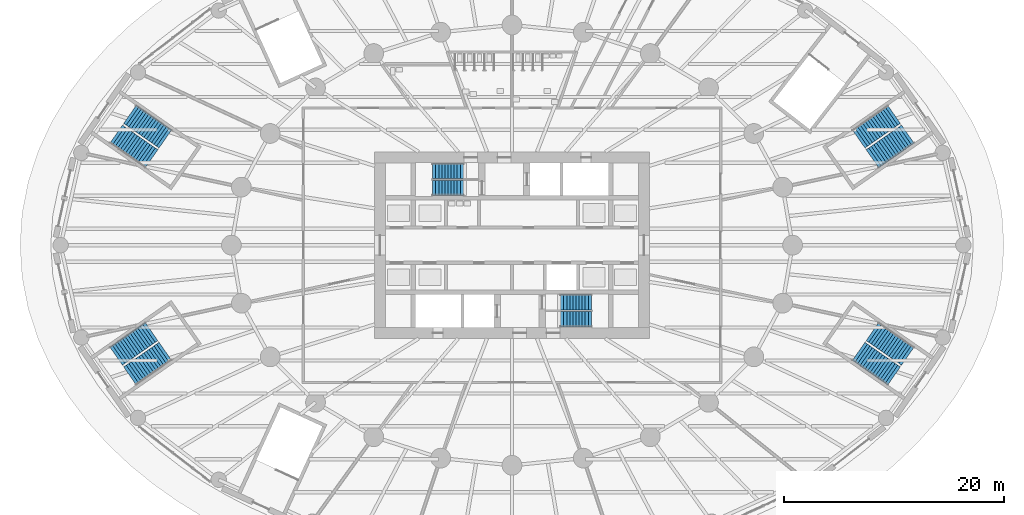
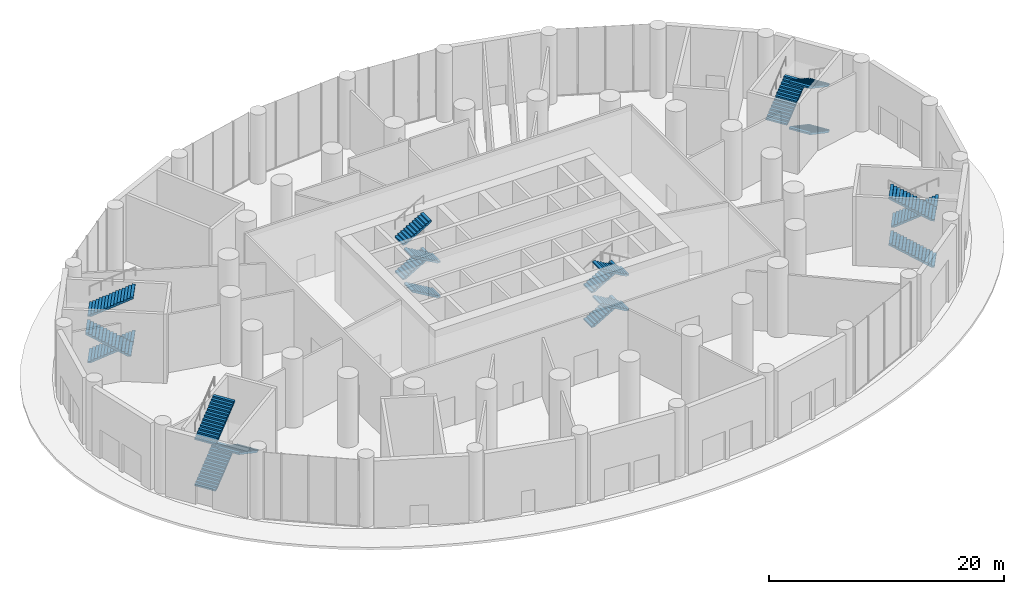
# One storey, part 18 of 22: 20 stair flights, 6 elements without a shape of their own.
"""IFC4 building model written with IfcOpenShell, lengths in metres."""

from ifc_helpers import new_model, si_unit, direction, frame, origin, place, context, subcontext, project, spatial, polyline, outline, extrude, material, type_object, element, aggregate, save


model = new_model("IFC4")

# Units and contexts
model_context = context("Model", 3, precision=1e-05, world=origin(), true_north=direction((0.0, 1.0)))
body_context = subcontext(model_context, "Body", "Model", "MODEL_VIEW")
ifc_project = project(units=[si_unit("LENGTHUNIT", "METRE"), si_unit("AREAUNIT", "SQUARE_METRE"), si_unit("VOLUMEUNIT", "CUBIC_METRE"), si_unit("PLANEANGLEUNIT", "RADIAN"), si_unit("MASSUNIT", "GRAM", prefix="KILO")], contexts=[model_context])

# Site, building, storey
site_placement = place(None, origin())
site = spatial("IfcSite", under=ifc_project, at=site_placement, CompositionType="ELEMENT")
building_placement = place(site_placement, origin())
building = spatial("IfcBuilding", under=site, at=building_placement, Name="Hankou Lantern Tower", CompositionType="ELEMENT")
storey_placement = place(building_placement, origin())
storey = spatial("IfcBuildingStorey", under=building, at=storey_placement, Name="L00", CompositionType="ELEMENT", Elevation=0.0)

# Stair, stair flights
ifc_material_1 = material(Name="Concrete C40", Category="concrete")
stair_type_1 = type_object("IfcStairType", Name="ST72 CORE STAIR 7200 RISE", PredefinedType="HALF_TURN_STAIR", material=ifc_material_1)
stair_1_placement = place(storey_placement, origin())
stair_1 = element("IfcStair", 1, at=stair_1_placement, inside=storey, type_object=stair_type_1, Name="Stair STA L00", PredefinedType="HALF_TURN_STAIR")
ifc_material_2 = material(Name="Concrete C40", Category="concrete")
stair_flight_type_1 = type_object("IfcStairFlightType", Name="CF11 CORE STAIR FLIGHT 1400 X 11 RISERS", PredefinedType="STRAIGHT", material=ifc_material_2)
stair_flight_1_placement = place(storey_placement, frame((-4.429931640625, 5.199951171875, 0.0), z_axis=(0.0, 0.0, 1.0), x_axis=(-1.0, 0.0, 0.0)))
stair_flight_1 = element("IfcStairFlight", 2, at=stair_flight_1_placement, type_object=stair_flight_type_1, Name="STA flight 1", NumberOfRisers=11, NumberOfTreads=10, PredefinedType="STRAIGHT", RiserHeight=0.163636364, TreadLength=0.28, context=body_context, shape_type="SweptSolid", body=[
    extrude(outline(polyline([(0.0, 0.0), (0.0, 0.16357421875), (0.280029296875, 0.16357421875), (0.280029296875, 0.327392578125), (0.56005859375, 0.327392578125), (0.56005859375, 0.490966796875), (0.840087890625, 0.490966796875), (0.840087890625, 0.654541015625), (1.1201171875, 0.654541015625), (1.1201171875, 0.818115234375), (1.39990234375, 0.818115234375), (1.39990234375, 0.98193359375), (1.679931640625, 0.98193359375), (1.679931640625, 1.1455078125), (1.9599609375, 1.1455078125), (1.9599609375, 1.30908203125), (2.239990234375, 1.30908203125), (2.239990234375, 1.47265625), (2.52001953125, 1.47265625), (2.52001953125, 1.636474609375), (2.800048828125, 1.636474609375), (2.800048828125, 1.800048828125), (2.800048828125, 1.462646484375), (0.297119140625, 0.0), (0.0, 0.0)])), frame((0.0, 0.699951171875, 0.0), z_axis=(0.0, -1.0, 0.0), x_axis=(1.0, 0.0, 0.0)), (0.0, 0.0, 1.0), 1.39990234375),
])
stair_flight_2_placement = place(storey_placement, frame((-7.22998046875, 6.75, 1.800048828125), z_axis=(0.0, 0.0, 1.0), x_axis=(1.0, 0.0, 0.0)))
stair_flight_2 = element("IfcStairFlight", 3, at=stair_flight_2_placement, type_object=stair_flight_type_1, Name="STA flight 2", NumberOfRisers=11, NumberOfTreads=10, PredefinedType="STRAIGHT", RiserHeight=0.163636364, TreadLength=0.28, context=body_context, shape_type="SweptSolid", body=[
    extrude(outline(polyline([(0.0, 0.0), (0.0, 0.16357421875), (0.280029296875, 0.16357421875), (0.280029296875, 0.327392578125), (0.56005859375, 0.327392578125), (0.56005859375, 0.490966796875), (0.840087890625, 0.490966796875), (0.840087890625, 0.654541015625), (1.1201171875, 0.654541015625), (1.1201171875, 0.818115234375), (1.39990234375, 0.818115234375), (1.39990234375, 0.98193359375), (1.679931640625, 0.98193359375), (1.679931640625, 1.1455078125), (1.9599609375, 1.1455078125), (1.9599609375, 1.30908203125), (2.239990234375, 1.30908203125), (2.239990234375, 1.47265625), (2.52001953125, 1.47265625), (2.52001953125, 1.636474609375), (2.800048828125, 1.636474609375), (2.800048828125, 1.800048828125), (2.800048828125, 1.462646484375), (0.297119140625, 0.0), (0.0, 0.0)])), frame((0.0, 0.699951171875, 0.0), z_axis=(0.0, -1.0, 0.0), x_axis=(1.0, 0.0, 0.0)), (0.0, 0.0, 1.0), 1.39990234375),
])
stair_flight_3_placement = place(storey_placement, frame((-4.429931640625, 5.199951171875, 3.60009765625), z_axis=(0.0, 0.0, 1.0), x_axis=(-1.0, 0.0, 0.0)))
stair_flight_3 = element("IfcStairFlight", 4, at=stair_flight_3_placement, type_object=stair_flight_type_1, Name="STA flight 3", NumberOfRisers=11, NumberOfTreads=10, PredefinedType="STRAIGHT", RiserHeight=0.163636364, TreadLength=0.28, context=body_context, shape_type="SweptSolid", body=[
    extrude(outline(polyline([(0.0, 0.0), (0.0, 0.16357421875), (0.280029296875, 0.16357421875), (0.280029296875, 0.327392578125), (0.56005859375, 0.327392578125), (0.56005859375, 0.490966796875), (0.840087890625, 0.490966796875), (0.840087890625, 0.654541015625), (1.1201171875, 0.654541015625), (1.1201171875, 0.818115234375), (1.39990234375, 0.818115234375), (1.39990234375, 0.98193359375), (1.679931640625, 0.98193359375), (1.679931640625, 1.1455078125), (1.9599609375, 1.1455078125), (1.9599609375, 1.30908203125), (2.239990234375, 1.30908203125), (2.239990234375, 1.47265625), (2.52001953125, 1.47265625), (2.52001953125, 1.636474609375), (2.800048828125, 1.636474609375), (2.800048828125, 1.800048828125), (2.800048828125, 1.462646484375), (0.297119140625, 0.0), (0.0, 0.0)])), frame((0.0, 0.699951171875, 0.0), z_axis=(0.0, -1.0, 0.0), x_axis=(1.0, 0.0, 0.0)), (0.0, 0.0, 1.0), 1.39990234375),
])
stair_flight_4_placement = place(storey_placement, frame((-7.22998046875, 6.75, 5.39990234375), z_axis=(0.0, 0.0, 1.0), x_axis=(1.0, 0.0, 0.0)))
stair_flight_4 = element("IfcStairFlight", 5, at=stair_flight_4_placement, type_object=stair_flight_type_1, Name="STA flight 4", NumberOfRisers=11, NumberOfTreads=10, PredefinedType="STRAIGHT", RiserHeight=0.163636364, TreadLength=0.28, context=body_context, shape_type="SweptSolid", body=[
    extrude(outline(polyline([(0.0, 0.0), (0.0, 0.16357421875), (0.280029296875, 0.16357421875), (0.280029296875, 0.327392578125), (0.56005859375, 0.327392578125), (0.56005859375, 0.490966796875), (0.840087890625, 0.490966796875), (0.840087890625, 0.654541015625), (1.1201171875, 0.654541015625), (1.1201171875, 0.818115234375), (1.39990234375, 0.818115234375), (1.39990234375, 0.98193359375), (1.679931640625, 0.98193359375), (1.679931640625, 1.1455078125), (1.9599609375, 1.1455078125), (1.9599609375, 1.30908203125), (2.239990234375, 1.30908203125), (2.239990234375, 1.47265625), (2.52001953125, 1.47265625), (2.52001953125, 1.636474609375), (2.800048828125, 1.636474609375), (2.800048828125, 1.800048828125), (2.800048828125, 1.462646484375), (0.297119140625, 0.0), (0.0, 0.0)])), frame((0.0, 0.699951171875, 0.0), z_axis=(0.0, -1.0, 0.0), x_axis=(1.0, 0.0, 0.0)), (0.0, 0.0, 1.0), 1.39990234375),
])
aggregate(stair_1, [stair_flight_1, stair_flight_2, stair_flight_3, stair_flight_4])

stair_2_placement = place(storey_placement, origin())
stair_2 = element("IfcStair", 6, at=stair_2_placement, inside=storey, type_object=stair_type_1, Name="Stair STB L00", PredefinedType="HALF_TURN_STAIR")
stair_flight_5_placement = place(storey_placement, frame((4.429931640625, -5.199951171875, 0.0), z_axis=(0.0, 0.0, 1.0), x_axis=(1.0, 0.0, 0.0)))
stair_flight_5 = element("IfcStairFlight", 7, at=stair_flight_5_placement, type_object=stair_flight_type_1, Name="STB flight 1", NumberOfRisers=11, NumberOfTreads=10, PredefinedType="STRAIGHT", RiserHeight=0.163636364, TreadLength=0.28, context=body_context, shape_type="SweptSolid", body=[
    extrude(outline(polyline([(0.0, 0.0), (0.0, 0.16357421875), (0.280029296875, 0.16357421875), (0.280029296875, 0.327392578125), (0.56005859375, 0.327392578125), (0.56005859375, 0.490966796875), (0.840087890625, 0.490966796875), (0.840087890625, 0.654541015625), (1.1201171875, 0.654541015625), (1.1201171875, 0.818115234375), (1.39990234375, 0.818115234375), (1.39990234375, 0.98193359375), (1.679931640625, 0.98193359375), (1.679931640625, 1.1455078125), (1.9599609375, 1.1455078125), (1.9599609375, 1.30908203125), (2.239990234375, 1.30908203125), (2.239990234375, 1.47265625), (2.52001953125, 1.47265625), (2.52001953125, 1.636474609375), (2.800048828125, 1.636474609375), (2.800048828125, 1.800048828125), (2.800048828125, 1.462646484375), (0.297119140625, 0.0), (0.0, 0.0)])), frame((0.0, 0.699951171875, 0.0), z_axis=(0.0, -1.0, 0.0), x_axis=(1.0, 0.0, 0.0)), (0.0, 0.0, 1.0), 1.39990234375),
])
stair_flight_6_placement = place(storey_placement, frame((7.22998046875, -6.75, 1.800048828125), z_axis=(0.0, 0.0, 1.0), x_axis=(-1.0, 0.0, 0.0)))
stair_flight_6 = element("IfcStairFlight", 8, at=stair_flight_6_placement, type_object=stair_flight_type_1, Name="STB flight 2", NumberOfRisers=11, NumberOfTreads=10, PredefinedType="STRAIGHT", RiserHeight=0.163636364, TreadLength=0.28, context=body_context, shape_type="SweptSolid", body=[
    extrude(outline(polyline([(0.0, 0.0), (0.0, 0.16357421875), (0.280029296875, 0.16357421875), (0.280029296875, 0.327392578125), (0.56005859375, 0.327392578125), (0.56005859375, 0.490966796875), (0.840087890625, 0.490966796875), (0.840087890625, 0.654541015625), (1.1201171875, 0.654541015625), (1.1201171875, 0.818115234375), (1.39990234375, 0.818115234375), (1.39990234375, 0.98193359375), (1.679931640625, 0.98193359375), (1.679931640625, 1.1455078125), (1.9599609375, 1.1455078125), (1.9599609375, 1.30908203125), (2.239990234375, 1.30908203125), (2.239990234375, 1.47265625), (2.52001953125, 1.47265625), (2.52001953125, 1.636474609375), (2.800048828125, 1.636474609375), (2.800048828125, 1.800048828125), (2.800048828125, 1.462646484375), (0.297119140625, 0.0), (0.0, 0.0)])), frame((0.0, 0.699951171875, 0.0), z_axis=(0.0, -1.0, 0.0), x_axis=(1.0, 0.0, 0.0)), (0.0, 0.0, 1.0), 1.39990234375),
])
stair_flight_7_placement = place(storey_placement, frame((4.429931640625, -5.199951171875, 3.60009765625), z_axis=(0.0, 0.0, 1.0), x_axis=(1.0, 0.0, 0.0)))
stair_flight_7 = element("IfcStairFlight", 9, at=stair_flight_7_placement, type_object=stair_flight_type_1, Name="STB flight 3", NumberOfRisers=11, NumberOfTreads=10, PredefinedType="STRAIGHT", RiserHeight=0.163636364, TreadLength=0.28, context=body_context, shape_type="SweptSolid", body=[
    extrude(outline(polyline([(0.0, 0.0), (0.0, 0.16357421875), (0.280029296875, 0.16357421875), (0.280029296875, 0.327392578125), (0.56005859375, 0.327392578125), (0.56005859375, 0.490966796875), (0.840087890625, 0.490966796875), (0.840087890625, 0.654541015625), (1.1201171875, 0.654541015625), (1.1201171875, 0.818115234375), (1.39990234375, 0.818115234375), (1.39990234375, 0.98193359375), (1.679931640625, 0.98193359375), (1.679931640625, 1.1455078125), (1.9599609375, 1.1455078125), (1.9599609375, 1.30908203125), (2.239990234375, 1.30908203125), (2.239990234375, 1.47265625), (2.52001953125, 1.47265625), (2.52001953125, 1.636474609375), (2.800048828125, 1.636474609375), (2.800048828125, 1.800048828125), (2.800048828125, 1.462646484375), (0.297119140625, 0.0), (0.0, 0.0)])), frame((0.0, 0.699951171875, 0.0), z_axis=(0.0, -1.0, 0.0), x_axis=(1.0, 0.0, 0.0)), (0.0, 0.0, 1.0), 1.39990234375),
])
stair_flight_8_placement = place(storey_placement, frame((7.22998046875, -6.75, 5.39990234375), z_axis=(0.0, 0.0, 1.0), x_axis=(-1.0, 0.0, 0.0)))
stair_flight_8 = element("IfcStairFlight", 10, at=stair_flight_8_placement, type_object=stair_flight_type_1, Name="STB flight 4", NumberOfRisers=11, NumberOfTreads=10, PredefinedType="STRAIGHT", RiserHeight=0.163636364, TreadLength=0.28, context=body_context, shape_type="SweptSolid", body=[
    extrude(outline(polyline([(0.0, 0.0), (0.0, 0.16357421875), (0.280029296875, 0.16357421875), (0.280029296875, 0.327392578125), (0.56005859375, 0.327392578125), (0.56005859375, 0.490966796875), (0.840087890625, 0.490966796875), (0.840087890625, 0.654541015625), (1.1201171875, 0.654541015625), (1.1201171875, 0.818115234375), (1.39990234375, 0.818115234375), (1.39990234375, 0.98193359375), (1.679931640625, 0.98193359375), (1.679931640625, 1.1455078125), (1.9599609375, 1.1455078125), (1.9599609375, 1.30908203125), (2.239990234375, 1.30908203125), (2.239990234375, 1.47265625), (2.52001953125, 1.47265625), (2.52001953125, 1.636474609375), (2.800048828125, 1.636474609375), (2.800048828125, 1.800048828125), (2.800048828125, 1.462646484375), (0.297119140625, 0.0), (0.0, 0.0)])), frame((0.0, 0.699951171875, 0.0), z_axis=(0.0, -1.0, 0.0), x_axis=(1.0, 0.0, 0.0)), (0.0, 0.0, 1.0), 1.39990234375),
])
aggregate(stair_2, [stair_flight_5, stair_flight_6, stair_flight_7, stair_flight_8])

ifc_material_3 = material(Name="Concrete C40", Category="concrete")
stair_type_2 = type_object("IfcStairType", Name="PS72 PODIUM STAIR 7200 RISE", PredefinedType="HALF_TURN_STAIR", material=ifc_material_3)
stair_3_placement = place(storey_placement, origin())
stair_3 = element("IfcStair", 11, at=stair_3_placement, inside=storey, type_object=stair_type_2, Name="Stair P1 L00", PredefinedType="HALF_TURN_STAIR")
ifc_material_4 = material(Name="Concrete C40", Category="concrete")
stair_flight_type_2 = type_object("IfcStairFlightType", Name="PF15 PODIUM STAIR FLIGHT 2000 X 15 RISERS", PredefinedType="STRAIGHT", material=ifc_material_4)
stair_flight_9_placement = place(storey_placement, frame((36.041748046875, 10.104248046875, 0.0), z_axis=(0.0, 0.0, 1.0), x_axis=(-0.820927362045, -0.571032631507, 0.0)))
stair_flight_9 = element("IfcStairFlight", 12, at=stair_flight_9_placement, type_object=stair_flight_type_2, Name="P1 flight 1", NumberOfRisers=15, NumberOfTreads=14, PredefinedType="STRAIGHT", RiserHeight=0.16, TreadLength=0.28, context=body_context, shape_type="SweptSolid", body=[
    extrude(outline(polyline([(0.0, 0.0), (0.0, 0.159912109375), (0.280029296875, 0.159912109375), (0.280029296875, 0.320068359375), (0.56005859375, 0.320068359375), (0.56005859375, 0.47998046875), (0.840087890625, 0.47998046875), (0.840087890625, 0.639892578125), (1.1201171875, 0.639892578125), (1.1201171875, 0.800048828125), (1.39990234375, 0.800048828125), (1.39990234375, 0.9599609375), (1.679931640625, 0.9599609375), (1.679931640625, 1.1201171875), (1.9599609375, 1.1201171875), (1.9599609375, 1.280029296875), (2.239990234375, 1.280029296875), (2.239990234375, 1.43994140625), (2.52001953125, 1.43994140625), (2.52001953125, 1.60009765625), (2.800048828125, 1.60009765625), (2.800048828125, 1.760009765625), (3.080078125, 1.760009765625), (3.080078125, 1.919921875), (3.360107421875, 1.919921875), (3.360107421875, 2.080078125), (3.639892578125, 2.080078125), (3.639892578125, 2.239990234375), (3.919921875, 2.239990234375), (3.919921875, 2.39990234375), (3.919921875, 2.0673828125), (0.30224609375, 0.0), (0.0, 0.0)])), frame((0.0, 1.0, 0.0), z_axis=(0.0, -1.0, 0.0), x_axis=(1.0, 0.0, 0.0)), (0.0, 0.0, 1.0), 2.0),
])
stair_flight_10_placement = place(storey_placement, frame((31.5673828125, 9.671875, 2.39990234375), z_axis=(0.0, 0.0, 1.0), x_axis=(0.820927362045, 0.571032631507, 0.0)))
stair_flight_10 = element("IfcStairFlight", 13, at=stair_flight_10_placement, type_object=stair_flight_type_2, Name="P1 flight 2", NumberOfRisers=15, NumberOfTreads=14, PredefinedType="STRAIGHT", RiserHeight=0.16, TreadLength=0.28, context=body_context, shape_type="SweptSolid", body=[
    extrude(outline(polyline([(0.0, 0.0), (0.0, 0.159912109375), (0.280029296875, 0.159912109375), (0.280029296875, 0.320068359375), (0.56005859375, 0.320068359375), (0.56005859375, 0.47998046875), (0.840087890625, 0.47998046875), (0.840087890625, 0.639892578125), (1.1201171875, 0.639892578125), (1.1201171875, 0.800048828125), (1.39990234375, 0.800048828125), (1.39990234375, 0.9599609375), (1.679931640625, 0.9599609375), (1.679931640625, 1.1201171875), (1.9599609375, 1.1201171875), (1.9599609375, 1.280029296875), (2.239990234375, 1.280029296875), (2.239990234375, 1.43994140625), (2.52001953125, 1.43994140625), (2.52001953125, 1.60009765625), (2.800048828125, 1.60009765625), (2.800048828125, 1.760009765625), (3.080078125, 1.760009765625), (3.080078125, 1.919921875), (3.360107421875, 1.919921875), (3.360107421875, 2.080078125), (3.639892578125, 2.080078125), (3.639892578125, 2.239990234375), (3.919921875, 2.239990234375), (3.919921875, 2.39990234375), (3.919921875, 2.0673828125), (0.30224609375, 0.0), (0.0, 0.0)])), frame((0.0, 1.0, 0.0), z_axis=(0.0, -1.0, 0.0), x_axis=(1.0, 0.0, 0.0)), (0.0, 0.0, 1.0), 2.0),
])
stair_flight_11_placement = place(storey_placement, frame((36.041748046875, 10.104248046875, 4.800048828125), z_axis=(0.0, 0.0, 1.0), x_axis=(-0.820927362045, -0.571032631507, 0.0)))
stair_flight_11 = element("IfcStairFlight", 14, at=stair_flight_11_placement, type_object=stair_flight_type_2, Name="P1 flight 3", NumberOfRisers=15, NumberOfTreads=14, PredefinedType="STRAIGHT", RiserHeight=0.16, TreadLength=0.28, context=body_context, shape_type="SweptSolid", body=[
    extrude(outline(polyline([(0.0, 0.0), (0.0, 0.159912109375), (0.280029296875, 0.159912109375), (0.280029296875, 0.320068359375), (0.56005859375, 0.320068359375), (0.56005859375, 0.47998046875), (0.840087890625, 0.47998046875), (0.840087890625, 0.639892578125), (1.1201171875, 0.639892578125), (1.1201171875, 0.800048828125), (1.39990234375, 0.800048828125), (1.39990234375, 0.9599609375), (1.679931640625, 0.9599609375), (1.679931640625, 1.1201171875), (1.9599609375, 1.1201171875), (1.9599609375, 1.280029296875), (2.239990234375, 1.280029296875), (2.239990234375, 1.43994140625), (2.52001953125, 1.43994140625), (2.52001953125, 1.60009765625), (2.800048828125, 1.60009765625), (2.800048828125, 1.760009765625), (3.080078125, 1.760009765625), (3.080078125, 1.919921875), (3.360107421875, 1.919921875), (3.360107421875, 2.080078125), (3.639892578125, 2.080078125), (3.639892578125, 2.239990234375), (3.919921875, 2.239990234375), (3.919921875, 2.39990234375), (3.919921875, 2.0673828125), (0.30224609375, 0.0), (0.0, 0.0)])), frame((0.0, 1.0, 0.0), z_axis=(0.0, -1.0, 0.0), x_axis=(1.0, 0.0, 0.0)), (0.0, 0.0, 1.0), 2.0),
])
aggregate(stair_3, [stair_flight_9, stair_flight_10, stair_flight_11])

stair_4_placement = place(storey_placement, origin())
stair_4 = element("IfcStair", 15, at=stair_4_placement, inside=storey, type_object=stair_type_2, Name="Stair P2 L00", PredefinedType="HALF_TURN_STAIR")
stair_flight_12_placement = place(storey_placement, frame((-34.785400390625, 11.910400390625, 0.0), z_axis=(0.0, 0.0, 1.0), x_axis=(0.820927362045, -0.571032631507, 0.0)))
stair_flight_12 = element("IfcStairFlight", 16, at=stair_flight_12_placement, type_object=stair_flight_type_2, Name="P2 flight 1", NumberOfRisers=15, NumberOfTreads=14, PredefinedType="STRAIGHT", RiserHeight=0.16, TreadLength=0.28, context=body_context, shape_type="SweptSolid", body=[
    extrude(outline(polyline([(0.0, 0.0), (0.0, 0.159912109375), (0.280029296875, 0.159912109375), (0.280029296875, 0.320068359375), (0.56005859375, 0.320068359375), (0.56005859375, 0.47998046875), (0.840087890625, 0.47998046875), (0.840087890625, 0.639892578125), (1.1201171875, 0.639892578125), (1.1201171875, 0.800048828125), (1.39990234375, 0.800048828125), (1.39990234375, 0.9599609375), (1.679931640625, 0.9599609375), (1.679931640625, 1.1201171875), (1.9599609375, 1.1201171875), (1.9599609375, 1.280029296875), (2.239990234375, 1.280029296875), (2.239990234375, 1.43994140625), (2.52001953125, 1.43994140625), (2.52001953125, 1.60009765625), (2.800048828125, 1.60009765625), (2.800048828125, 1.760009765625), (3.080078125, 1.760009765625), (3.080078125, 1.919921875), (3.360107421875, 1.919921875), (3.360107421875, 2.080078125), (3.639892578125, 2.080078125), (3.639892578125, 2.239990234375), (3.919921875, 2.239990234375), (3.919921875, 2.39990234375), (3.919921875, 2.0673828125), (0.30224609375, 0.0), (0.0, 0.0)])), frame((0.0, 1.0, 0.0), z_axis=(0.0, -1.0, 0.0), x_axis=(1.0, 0.0, 0.0)), (0.0, 0.0, 1.0), 2.0),
])
stair_flight_13_placement = place(storey_placement, frame((-32.82373046875, 7.865966796875, 2.39990234375), z_axis=(0.0, 0.0, 1.0), x_axis=(-0.820927362045, 0.571032631507, 0.0)))
stair_flight_13 = element("IfcStairFlight", 17, at=stair_flight_13_placement, type_object=stair_flight_type_2, Name="P2 flight 2", NumberOfRisers=15, NumberOfTreads=14, PredefinedType="STRAIGHT", RiserHeight=0.16, TreadLength=0.28, context=body_context, shape_type="SweptSolid", body=[
    extrude(outline(polyline([(0.0, 0.0), (0.0, 0.159912109375), (0.280029296875, 0.159912109375), (0.280029296875, 0.320068359375), (0.56005859375, 0.320068359375), (0.56005859375, 0.47998046875), (0.840087890625, 0.47998046875), (0.840087890625, 0.639892578125), (1.1201171875, 0.639892578125), (1.1201171875, 0.800048828125), (1.39990234375, 0.800048828125), (1.39990234375, 0.9599609375), (1.679931640625, 0.9599609375), (1.679931640625, 1.1201171875), (1.9599609375, 1.1201171875), (1.9599609375, 1.280029296875), (2.239990234375, 1.280029296875), (2.239990234375, 1.43994140625), (2.52001953125, 1.43994140625), (2.52001953125, 1.60009765625), (2.800048828125, 1.60009765625), (2.800048828125, 1.760009765625), (3.080078125, 1.760009765625), (3.080078125, 1.919921875), (3.360107421875, 1.919921875), (3.360107421875, 2.080078125), (3.639892578125, 2.080078125), (3.639892578125, 2.239990234375), (3.919921875, 2.239990234375), (3.919921875, 2.39990234375), (3.919921875, 2.0673828125), (0.30224609375, 0.0), (0.0, 0.0)])), frame((0.0, 1.0, 0.0), z_axis=(0.0, -1.0, 0.0), x_axis=(1.0, 0.0, 0.0)), (0.0, 0.0, 1.0), 2.0),
])
stair_flight_14_placement = place(storey_placement, frame((-34.785400390625, 11.910400390625, 4.800048828125), z_axis=(0.0, 0.0, 1.0), x_axis=(0.820927362045, -0.571032631507, 0.0)))
stair_flight_14 = element("IfcStairFlight", 18, at=stair_flight_14_placement, type_object=stair_flight_type_2, Name="P2 flight 3", NumberOfRisers=15, NumberOfTreads=14, PredefinedType="STRAIGHT", RiserHeight=0.16, TreadLength=0.28, context=body_context, shape_type="SweptSolid", body=[
    extrude(outline(polyline([(0.0, 0.0), (0.0, 0.159912109375), (0.280029296875, 0.159912109375), (0.280029296875, 0.320068359375), (0.56005859375, 0.320068359375), (0.56005859375, 0.47998046875), (0.840087890625, 0.47998046875), (0.840087890625, 0.639892578125), (1.1201171875, 0.639892578125), (1.1201171875, 0.800048828125), (1.39990234375, 0.800048828125), (1.39990234375, 0.9599609375), (1.679931640625, 0.9599609375), (1.679931640625, 1.1201171875), (1.9599609375, 1.1201171875), (1.9599609375, 1.280029296875), (2.239990234375, 1.280029296875), (2.239990234375, 1.43994140625), (2.52001953125, 1.43994140625), (2.52001953125, 1.60009765625), (2.800048828125, 1.60009765625), (2.800048828125, 1.760009765625), (3.080078125, 1.760009765625), (3.080078125, 1.919921875), (3.360107421875, 1.919921875), (3.360107421875, 2.080078125), (3.639892578125, 2.080078125), (3.639892578125, 2.239990234375), (3.919921875, 2.239990234375), (3.919921875, 2.39990234375), (3.919921875, 2.0673828125), (0.30224609375, 0.0), (0.0, 0.0)])), frame((0.0, 1.0, 0.0), z_axis=(0.0, -1.0, 0.0), x_axis=(1.0, 0.0, 0.0)), (0.0, 0.0, 1.0), 2.0),
])
aggregate(stair_4, [stair_flight_12, stair_flight_13, stair_flight_14])

stair_5_placement = place(storey_placement, origin())
stair_5 = element("IfcStair", 19, at=stair_5_placement, inside=storey, type_object=stair_type_2, Name="Stair P3 L00", PredefinedType="HALF_TURN_STAIR")
stair_flight_15_placement = place(storey_placement, frame((-36.041748046875, -10.104248046875, 0.0), z_axis=(0.0, 0.0, 1.0), x_axis=(0.820927362045, 0.571032631507, 0.0)))
stair_flight_15 = element("IfcStairFlight", 20, at=stair_flight_15_placement, type_object=stair_flight_type_2, Name="P3 flight 1", NumberOfRisers=15, NumberOfTreads=14, PredefinedType="STRAIGHT", RiserHeight=0.16, TreadLength=0.28, context=body_context, shape_type="SweptSolid", body=[
    extrude(outline(polyline([(0.0, 0.0), (0.0, 0.159912109375), (0.280029296875, 0.159912109375), (0.280029296875, 0.320068359375), (0.56005859375, 0.320068359375), (0.56005859375, 0.47998046875), (0.840087890625, 0.47998046875), (0.840087890625, 0.639892578125), (1.1201171875, 0.639892578125), (1.1201171875, 0.800048828125), (1.39990234375, 0.800048828125), (1.39990234375, 0.9599609375), (1.679931640625, 0.9599609375), (1.679931640625, 1.1201171875), (1.9599609375, 1.1201171875), (1.9599609375, 1.280029296875), (2.239990234375, 1.280029296875), (2.239990234375, 1.43994140625), (2.52001953125, 1.43994140625), (2.52001953125, 1.60009765625), (2.800048828125, 1.60009765625), (2.800048828125, 1.760009765625), (3.080078125, 1.760009765625), (3.080078125, 1.919921875), (3.360107421875, 1.919921875), (3.360107421875, 2.080078125), (3.639892578125, 2.080078125), (3.639892578125, 2.239990234375), (3.919921875, 2.239990234375), (3.919921875, 2.39990234375), (3.919921875, 2.0673828125), (0.30224609375, 0.0), (0.0, 0.0)])), frame((0.0, 1.0, 0.0), z_axis=(0.0, -1.0, 0.0), x_axis=(1.0, 0.0, 0.0)), (0.0, 0.0, 1.0), 2.0),
])
stair_flight_16_placement = place(storey_placement, frame((-31.5673828125, -9.671875, 2.39990234375), z_axis=(0.0, 0.0, 1.0), x_axis=(-0.820927362045, -0.571032631507, 0.0)))
stair_flight_16 = element("IfcStairFlight", 21, at=stair_flight_16_placement, type_object=stair_flight_type_2, Name="P3 flight 2", NumberOfRisers=15, NumberOfTreads=14, PredefinedType="STRAIGHT", RiserHeight=0.16, TreadLength=0.28, context=body_context, shape_type="SweptSolid", body=[
    extrude(outline(polyline([(0.0, 0.0), (0.0, 0.159912109375), (0.280029296875, 0.159912109375), (0.280029296875, 0.320068359375), (0.56005859375, 0.320068359375), (0.56005859375, 0.47998046875), (0.840087890625, 0.47998046875), (0.840087890625, 0.639892578125), (1.1201171875, 0.639892578125), (1.1201171875, 0.800048828125), (1.39990234375, 0.800048828125), (1.39990234375, 0.9599609375), (1.679931640625, 0.9599609375), (1.679931640625, 1.1201171875), (1.9599609375, 1.1201171875), (1.9599609375, 1.280029296875), (2.239990234375, 1.280029296875), (2.239990234375, 1.43994140625), (2.52001953125, 1.43994140625), (2.52001953125, 1.60009765625), (2.800048828125, 1.60009765625), (2.800048828125, 1.760009765625), (3.080078125, 1.760009765625), (3.080078125, 1.919921875), (3.360107421875, 1.919921875), (3.360107421875, 2.080078125), (3.639892578125, 2.080078125), (3.639892578125, 2.239990234375), (3.919921875, 2.239990234375), (3.919921875, 2.39990234375), (3.919921875, 2.0673828125), (0.30224609375, 0.0), (0.0, 0.0)])), frame((0.0, 1.0, 0.0), z_axis=(0.0, -1.0, 0.0), x_axis=(1.0, 0.0, 0.0)), (0.0, 0.0, 1.0), 2.0),
])
stair_flight_17_placement = place(storey_placement, frame((-36.041748046875, -10.104248046875, 4.800048828125), z_axis=(0.0, 0.0, 1.0), x_axis=(0.820927362045, 0.571032631507, 0.0)))
stair_flight_17 = element("IfcStairFlight", 22, at=stair_flight_17_placement, type_object=stair_flight_type_2, Name="P3 flight 3", NumberOfRisers=15, NumberOfTreads=14, PredefinedType="STRAIGHT", RiserHeight=0.16, TreadLength=0.28, context=body_context, shape_type="SweptSolid", body=[
    extrude(outline(polyline([(0.0, 0.0), (0.0, 0.159912109375), (0.280029296875, 0.159912109375), (0.280029296875, 0.320068359375), (0.56005859375, 0.320068359375), (0.56005859375, 0.47998046875), (0.840087890625, 0.47998046875), (0.840087890625, 0.639892578125), (1.1201171875, 0.639892578125), (1.1201171875, 0.800048828125), (1.39990234375, 0.800048828125), (1.39990234375, 0.9599609375), (1.679931640625, 0.9599609375), (1.679931640625, 1.1201171875), (1.9599609375, 1.1201171875), (1.9599609375, 1.280029296875), (2.239990234375, 1.280029296875), (2.239990234375, 1.43994140625), (2.52001953125, 1.43994140625), (2.52001953125, 1.60009765625), (2.800048828125, 1.60009765625), (2.800048828125, 1.760009765625), (3.080078125, 1.760009765625), (3.080078125, 1.919921875), (3.360107421875, 1.919921875), (3.360107421875, 2.080078125), (3.639892578125, 2.080078125), (3.639892578125, 2.239990234375), (3.919921875, 2.239990234375), (3.919921875, 2.39990234375), (3.919921875, 2.0673828125), (0.30224609375, 0.0), (0.0, 0.0)])), frame((0.0, 1.0, 0.0), z_axis=(0.0, -1.0, 0.0), x_axis=(1.0, 0.0, 0.0)), (0.0, 0.0, 1.0), 2.0),
])
aggregate(stair_5, [stair_flight_15, stair_flight_16, stair_flight_17])

stair_6_placement = place(storey_placement, origin())
stair_6 = element("IfcStair", 23, at=stair_6_placement, inside=storey, type_object=stair_type_2, Name="Stair P4 L00", PredefinedType="HALF_TURN_STAIR")
stair_flight_18_placement = place(storey_placement, frame((34.785400390625, -11.910400390625, 0.0), z_axis=(0.0, 0.0, 1.0), x_axis=(-0.820927362045, 0.571032631507, 0.0)))
stair_flight_18 = element("IfcStairFlight", 24, at=stair_flight_18_placement, type_object=stair_flight_type_2, Name="P4 flight 1", NumberOfRisers=15, NumberOfTreads=14, PredefinedType="STRAIGHT", RiserHeight=0.16, TreadLength=0.28, context=body_context, shape_type="SweptSolid", body=[
    extrude(outline(polyline([(0.0, 0.0), (0.0, 0.159912109375), (0.280029296875, 0.159912109375), (0.280029296875, 0.320068359375), (0.56005859375, 0.320068359375), (0.56005859375, 0.47998046875), (0.840087890625, 0.47998046875), (0.840087890625, 0.639892578125), (1.1201171875, 0.639892578125), (1.1201171875, 0.800048828125), (1.39990234375, 0.800048828125), (1.39990234375, 0.9599609375), (1.679931640625, 0.9599609375), (1.679931640625, 1.1201171875), (1.9599609375, 1.1201171875), (1.9599609375, 1.280029296875), (2.239990234375, 1.280029296875), (2.239990234375, 1.43994140625), (2.52001953125, 1.43994140625), (2.52001953125, 1.60009765625), (2.800048828125, 1.60009765625), (2.800048828125, 1.760009765625), (3.080078125, 1.760009765625), (3.080078125, 1.919921875), (3.360107421875, 1.919921875), (3.360107421875, 2.080078125), (3.639892578125, 2.080078125), (3.639892578125, 2.239990234375), (3.919921875, 2.239990234375), (3.919921875, 2.39990234375), (3.919921875, 2.0673828125), (0.30224609375, 0.0), (0.0, 0.0)])), frame((0.0, 1.0, 0.0), z_axis=(0.0, -1.0, 0.0), x_axis=(1.0, 0.0, 0.0)), (0.0, 0.0, 1.0), 2.0),
])
stair_flight_19_placement = place(storey_placement, frame((32.82373046875, -7.865966796875, 2.39990234375), z_axis=(0.0, 0.0, 1.0), x_axis=(0.820927362045, -0.571032631507, 0.0)))
stair_flight_19 = element("IfcStairFlight", 25, at=stair_flight_19_placement, type_object=stair_flight_type_2, Name="P4 flight 2", NumberOfRisers=15, NumberOfTreads=14, PredefinedType="STRAIGHT", RiserHeight=0.16, TreadLength=0.28, context=body_context, shape_type="SweptSolid", body=[
    extrude(outline(polyline([(0.0, 0.0), (0.0, 0.159912109375), (0.280029296875, 0.159912109375), (0.280029296875, 0.320068359375), (0.56005859375, 0.320068359375), (0.56005859375, 0.47998046875), (0.840087890625, 0.47998046875), (0.840087890625, 0.639892578125), (1.1201171875, 0.639892578125), (1.1201171875, 0.800048828125), (1.39990234375, 0.800048828125), (1.39990234375, 0.9599609375), (1.679931640625, 0.9599609375), (1.679931640625, 1.1201171875), (1.9599609375, 1.1201171875), (1.9599609375, 1.280029296875), (2.239990234375, 1.280029296875), (2.239990234375, 1.43994140625), (2.52001953125, 1.43994140625), (2.52001953125, 1.60009765625), (2.800048828125, 1.60009765625), (2.800048828125, 1.760009765625), (3.080078125, 1.760009765625), (3.080078125, 1.919921875), (3.360107421875, 1.919921875), (3.360107421875, 2.080078125), (3.639892578125, 2.080078125), (3.639892578125, 2.239990234375), (3.919921875, 2.239990234375), (3.919921875, 2.39990234375), (3.919921875, 2.0673828125), (0.30224609375, 0.0), (0.0, 0.0)])), frame((0.0, 1.0, 0.0), z_axis=(0.0, -1.0, 0.0), x_axis=(1.0, 0.0, 0.0)), (0.0, 0.0, 1.0), 2.0),
])
stair_flight_20_placement = place(storey_placement, frame((34.785400390625, -11.910400390625, 4.800048828125), z_axis=(0.0, 0.0, 1.0), x_axis=(-0.820927362045, 0.571032631507, 0.0)))
stair_flight_20 = element("IfcStairFlight", 26, at=stair_flight_20_placement, type_object=stair_flight_type_2, Name="P4 flight 3", NumberOfRisers=15, NumberOfTreads=14, PredefinedType="STRAIGHT", RiserHeight=0.16, TreadLength=0.28, context=body_context, shape_type="SweptSolid", body=[
    extrude(outline(polyline([(0.0, 0.0), (0.0, 0.159912109375), (0.280029296875, 0.159912109375), (0.280029296875, 0.320068359375), (0.56005859375, 0.320068359375), (0.56005859375, 0.47998046875), (0.840087890625, 0.47998046875), (0.840087890625, 0.639892578125), (1.1201171875, 0.639892578125), (1.1201171875, 0.800048828125), (1.39990234375, 0.800048828125), (1.39990234375, 0.9599609375), (1.679931640625, 0.9599609375), (1.679931640625, 1.1201171875), (1.9599609375, 1.1201171875), (1.9599609375, 1.280029296875), (2.239990234375, 1.280029296875), (2.239990234375, 1.43994140625), (2.52001953125, 1.43994140625), (2.52001953125, 1.60009765625), (2.800048828125, 1.60009765625), (2.800048828125, 1.760009765625), (3.080078125, 1.760009765625), (3.080078125, 1.919921875), (3.360107421875, 1.919921875), (3.360107421875, 2.080078125), (3.639892578125, 2.080078125), (3.639892578125, 2.239990234375), (3.919921875, 2.239990234375), (3.919921875, 2.39990234375), (3.919921875, 2.0673828125), (0.30224609375, 0.0), (0.0, 0.0)])), frame((0.0, 1.0, 0.0), z_axis=(0.0, -1.0, 0.0), x_axis=(1.0, 0.0, 0.0)), (0.0, 0.0, 1.0), 2.0),
])
aggregate(stair_6, [stair_flight_18, stair_flight_19, stair_flight_20])

save(model, "model.ifc")
